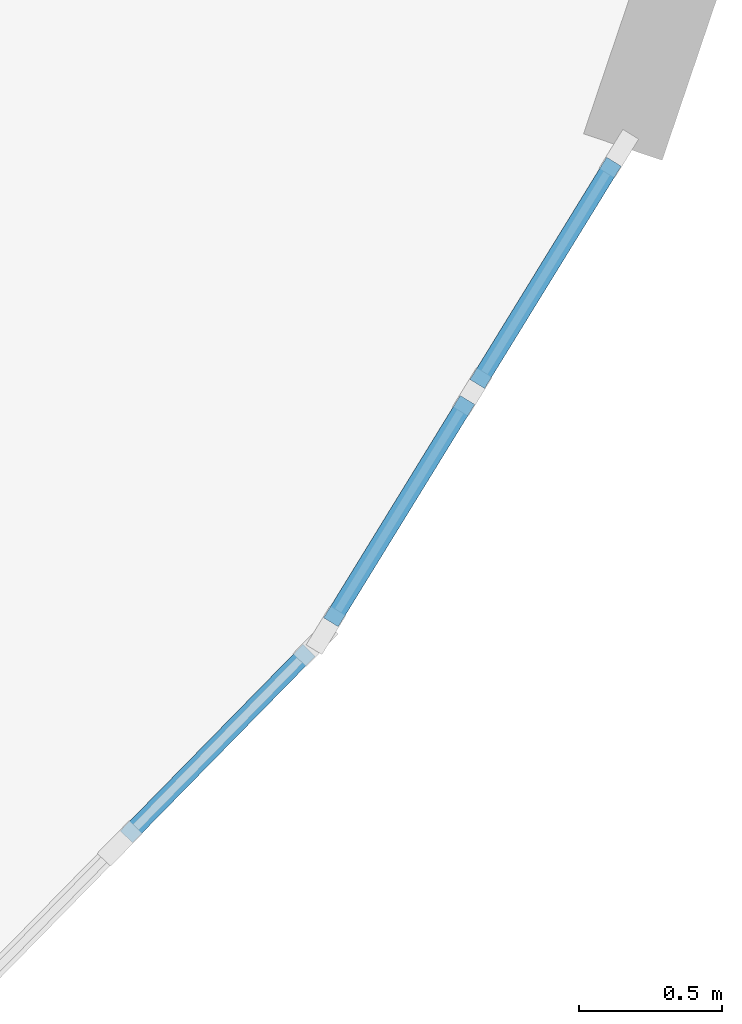
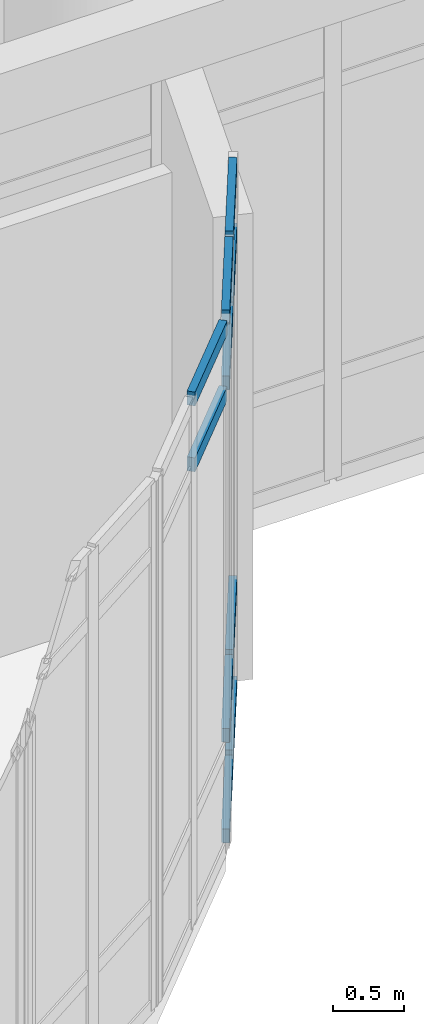
# One storey, part 36 of 68: 10 members, 2 elements without a shape of their own.
"""IFC4 building model written with IfcOpenShell, lengths in metres."""

import ifcopenshell
import ifcopenshell.guid

model = None  # the IFC model being written
_history = None  # IfcOwnerHistory: only IFC2X3 demands one
_inside = {}  # id of a spatial element -> (the spatial element, [elements in it])
_under = {}  # id of a project, library or spatial element -> (it, [spatial elements below it])
_declared = {}  # id of a project -> (the project, [libraries it declares])
_typed = {}  # id of a type object -> (the type object, [elements of that type])
_made_of = {}  # id of a material, layer set ... -> (it, [elements and type objects made of it])


def new_model(schema):
    """Start an empty IFC model of exactly this schema.

    Asked for "IFC4X3", IfcOpenShell would pick the latest addendum, in which some entities
    have other attributes; the version numbers below select the first issue.
    IFC2X3 requires an IfcOwnerHistory on every rooted entity: one is made here for all.
    """
    global model, _history
    if schema == "IFC4X3":
        model = ifcopenshell.file(schema_version=(4, 3, 0, 0))
    else:
        model = ifcopenshell.file(schema=schema)
    _inside.clear()
    _under.clear()
    _declared.clear()
    _typed.clear()
    _made_of.clear()
    _history = None
    if model.schema == "IFC2X3":
        org = make("IfcOrganization", Name="unknown")
        user = make(
            "IfcPersonAndOrganization",
            ThePerson=make("IfcPerson", FamilyName="unknown"),
            TheOrganization=org,
        )
        app = make(
            "IfcApplication",
            ApplicationDeveloper=org,
            Version="unknown",
            ApplicationFullName="unknown",
            ApplicationIdentifier="unknown",
        )
        _history = make(
            "IfcOwnerHistory",
            OwningUser=user,
            OwningApplication=app,
            ChangeAction="ADDED",
            CreationDate=0,
        )
    return model


def make(cls, **values):
    """One entity of the class cls with the attributes given. An attribute that is None is left unset."""
    return model.create_entity(
        cls, **{name: value for name, value in values.items() if value is not None}
    )


def rooted(cls, **values):
    """An entity with a GlobalId (a new one), such as an element, a storey or a relation."""
    return make(cls, GlobalId=ifcopenshell.guid.new(), OwnerHistory=_history, **values)


def si_unit(unit_type, name, prefix=None):
    """IfcSIUnit, for example si_unit("LENGTHUNIT", "METRE", prefix="MILLI")."""
    return make("IfcSIUnit", UnitType=unit_type, Prefix=prefix, Name=name)


def assignment(units):
    """IfcUnitAssignment: the units of a project."""
    return None if units is None else make("IfcUnitAssignment", Units=units)


def point(xyz):
    """IfcCartesianPoint."""
    return None if xyz is None else make("IfcCartesianPoint", Coordinates=xyz)


def direction(xyz):
    """IfcDirection."""
    return None if xyz is None else make("IfcDirection", DirectionRatios=xyz)


def frame(location, z_axis=None, x_axis=None):
    """IfcAxis2Placement3D, a coordinate frame: its origin and axes. An axis left out is left unset."""
    return make(
        "IfcAxis2Placement3D",
        Location=point(location),
        Axis=direction(z_axis),
        RefDirection=direction(x_axis),
    )


def frame_2d(location, x_axis=None):
    """IfcAxis2Placement2D, a coordinate frame in the plane: its origin and x axis."""
    return make(
        "IfcAxis2Placement2D", Location=point(location), RefDirection=direction(x_axis)
    )


def origin():
    """The frame at (0, 0, 0) with its axes left unset."""
    return frame((0.0, 0.0, 0.0))


def origin_2d():
    """The frame at (0, 0) in the plane with its x axis left unset."""
    return frame_2d((0.0, 0.0))


def place(relative_to, where):
    """IfcLocalPlacement: puts the frame where relative to a parent placement (None: the world)."""
    return make(
        "IfcLocalPlacement", PlacementRelTo=relative_to, RelativePlacement=where
    )


def context(
    kind, dimensions, precision=None, world=None, true_north=None, identifier=None
):
    """IfcGeometricRepresentationContext, for example the 3D "Model" context."""
    return make(
        "IfcGeometricRepresentationContext",
        ContextIdentifier=identifier,
        ContextType=kind,
        CoordinateSpaceDimension=dimensions,
        Precision=precision,
        WorldCoordinateSystem=world,
        TrueNorth=true_north,
    )


def subcontext(parent, identifier, kind, view, scale=None):
    """IfcGeometricRepresentationSubContext, for example "Body" below "Model"."""
    return make(
        "IfcGeometricRepresentationSubContext",
        ContextIdentifier=identifier,
        ContextType=kind,
        ParentContext=parent,
        TargetScale=scale,
        TargetView=view,
    )


def project(units=None, contexts=None):
    """IfcProject with its units and contexts."""
    return rooted(
        "IfcProject",
        Name="project",
        RepresentationContexts=contexts,
        UnitsInContext=assignment(units),
    )


def spatial(cls, under=None, at=None, **own):
    """A site, building, storey or space (cls), placed at a placement, below another one or the project."""
    s = rooted(cls, ObjectPlacement=at, **own)
    if under is not None:
        _under.setdefault(under.id(), (under, []))[1].append(s)
    return s


def profile(cls, at=None, kind="AREA", **sizes):
    """A parametric profile (cls). Its sizes go by their IFC names, for example OverallWidth=200.0."""
    return make(cls, ProfileType=kind, Position=at, **sizes)


def rectangle(**sizes):
    """IfcRectangleProfileDef."""
    return profile("IfcRectangleProfileDef", **sizes)


def extrude(swept, where, along, depth):
    """IfcExtrudedAreaSolid: the profile swept, set in the frame where, extruded along a direction by depth."""
    return make(
        "IfcExtrudedAreaSolid",
        SweptArea=swept,
        Position=where,
        ExtrudedDirection=direction(along),
        Depth=depth,
    )


def shape(context_of_items, identifier, shape_type, items):
    """IfcShapeRepresentation: the items that make up one representation, for example the "Body"."""
    return make(
        "IfcShapeRepresentation",
        ContextOfItems=context_of_items,
        RepresentationIdentifier=identifier,
        RepresentationType=shape_type,
        Items=items,
    )


def material(Name=None, Category=None):
    """IfcMaterial."""
    return make("IfcMaterial", Name=Name, Category=Category)


def layer(
    of_material, thickness, ventilated=None, Name=None, Category=None, Priority=None
):
    """IfcMaterialLayer: one layer of a wall or slab, of a material (None: an air gap)."""
    return make(
        "IfcMaterialLayer",
        Material=of_material,
        LayerThickness=thickness,
        IsVentilated=ventilated,
        Name=Name,
        Category=Category,
        Priority=Priority,
    )


def layer_set(layers, Name=None):
    """IfcMaterialLayerSet."""
    return make("IfcMaterialLayerSet", MaterialLayers=layers, LayerSetName=Name)


def material_profile(
    of_material, cross_section, Name=None, Category=None, Priority=None
):
    """IfcMaterialProfile: a cross section and its material."""
    return make(
        "IfcMaterialProfile",
        Name=Name,
        Material=of_material,
        Profile=cross_section,
        Priority=Priority,
        Category=Category,
    )


def profile_set(profiles, Name=None, composite=None):
    """IfcMaterialProfileSet."""
    return make(
        "IfcMaterialProfileSet",
        Name=Name,
        MaterialProfiles=profiles,
        CompositeProfile=composite,
    )


def made_of(thing, what):
    """Note that an element or type object is made of a material, layer set ...; save() writes the relation."""
    if what is not None:
        _made_of.setdefault(what.id(), (what, []))[1].append(thing)
    return thing


def type_object(cls, material=None, **own):
    """A type object (cls), such as IfcWallType, which elements share."""
    return made_of(rooted(cls, **own), material)


def element(
    cls,
    number,
    at=None,
    inside=None,
    cuts=None,
    type_object=None,
    material=None,
    context=None,
    identifier="Body",
    shape_type=None,
    held_by="IfcProductDefinitionShape",
    body=None,
    shapes=None,
    **own,
):
    """One element of the class cls, such as IfcWall. Its Tag is "e" and its number.

    at: its placement. inside: the storey or other place that contains it. cuts: it is an
    opening in that element (IfcRelVoidsElement). A single representation is given by context,
    identifier, shape_type and body (its items); several are given by shapes. held_by: the class
    of the entity that holds the representations. save() writes the other relations.
    """
    e = rooted(cls, Tag="e%d" % number, ObjectPlacement=at, **own)
    if body is not None:
        shapes = [shape(context, identifier, shape_type, body)]
    if shapes is not None:
        e.Representation = make(held_by, Representations=shapes)
    if inside is not None:
        _inside.setdefault(inside.id(), (inside, []))[1].append(e)
    if cuts is not None:
        rooted(
            "IfcRelVoidsElement", RelatingBuildingElement=cuts, RelatedOpeningElement=e
        )
    if type_object is not None:
        _typed.setdefault(type_object.id(), (type_object, []))[1].append(e)
    return made_of(e, material)


def aggregate(whole, parts):
    """IfcRelAggregates: a whole, such as a stair, and the parts it consists of."""
    return rooted("IfcRelAggregates", RelatingObject=whole, RelatedObjects=parts)


def save(model, path):
    """Write the relations noted so far, then the file.

    IfcRelAggregates (storeys below a building ...), IfcRelContainedInSpatialStructure (elements
    in a storey), IfcRelDefinesByType, IfcRelAssociatesMaterial and IfcRelDeclares: one each for
    every whole, place, type object, material and project.
    """
    for whole, parts in _under.values():
        aggregate(whole, parts)
    for where, things in _inside.values():
        rooted(
            "IfcRelContainedInSpatialStructure",
            RelatedElements=things,
            RelatingStructure=where,
        )
    for kind, things in _typed.values():
        rooted("IfcRelDefinesByType", RelatedObjects=things, RelatingType=kind)
    for what, things in _made_of.values():
        rooted("IfcRelAssociatesMaterial", RelatedObjects=things, RelatingMaterial=what)
    for by, libraries in _declared.values():
        rooted("IfcRelDeclares", RelatingContext=by, RelatedDefinitions=libraries)
    model.write(path)


model = new_model("IFC4")

# Units and contexts
model_context = context("Model", 3, precision=1e-05, world=origin(), true_north=direction((0.0, 1.0)))
body_context = subcontext(model_context, "Body", "Model", "MODEL_VIEW")
ifc_project = project(units=[si_unit("LENGTHUNIT", "METRE"), si_unit("AREAUNIT", "SQUARE_METRE"), si_unit("VOLUMEUNIT", "CUBIC_METRE"), si_unit("PLANEANGLEUNIT", "RADIAN"), si_unit("MASSUNIT", "GRAM", prefix="KILO")], contexts=[model_context])

# Site, building, storey
site_placement = place(None, origin())
site = spatial("IfcSite", under=ifc_project, at=site_placement, CompositionType="ELEMENT")
building_placement = place(site_placement, origin())
building = spatial("IfcBuilding", under=site, at=building_placement, Name="Miralva Faculty of Natural Sciences", CompositionType="ELEMENT")
storey_placement = place(building_placement, frame((0.0, 0.0, 5.39990234375)))
storey = spatial("IfcBuildingStorey", under=building, at=storey_placement, Name="L01", CompositionType="ELEMENT", Elevation=5.39990234375)

# Curtain wall, members
ifc_material_1 = material(Name="Laminated solar-control glass", Category="glass")
ifc_layer = layer(ifc_material_1, 0.179931640625, Name="CW-RND-L01")
ifc_layer_set = layer_set([ifc_layer], Name="Laminated solar-control glass")
curtain_wall_type = type_object("IfcCurtainWallType", Name="CW-RND-L01", PredefinedType="USERDEFINED", material=ifc_layer_set)
curtain_wall_1_placement = place(storey_placement, origin())
curtain_wall_1 = element("IfcCurtainWall", 1, at=curtain_wall_1_placement, inside=storey, type_object=curtain_wall_type, Name="Curtain wall CW-05 L01-55", ObjectType="UNITISED CURTAIN WALL", PredefinedType="USERDEFINED")
ifc_material_2 = material(Name="Anodised aluminium", Category="aluminium")
ifc_material_profile = material_profile(ifc_material_2, rectangle(XDim=0.06005859375, YDim=0.1201171875, at=origin_2d()), Name="TRANSOM 60x120")
ifc_profile_set = profile_set([ifc_material_profile], Name="Anodised aluminium")
member_type = type_object("IfcMemberType", Name="CW-T02", PredefinedType="USERDEFINED", material=ifc_profile_set)
member_1_placement = place(storey_placement, frame((129.140625, 14.490966796875, 0.030029296875), z_axis=(0.52351521274, 0.852016327326, 0.0), x_axis=(-0.852016327326, 0.52351521274, 0.0)))
member_1 = element("IfcMember", 2, at=member_1_placement, type_object=member_type, Name="CW-05 transom 1.1", ObjectType="TRANSOM", PredefinedType="USERDEFINED", context=body_context, shape_type="SweptSolid", body=[
    extrude(rectangle(XDim=0.06005859375, YDim=0.1201171875, at=origin_2d()), origin(), (0.0, 0.0, 1.0), 0.91259765625),
])
member_2_placement = place(storey_placement, frame((129.140625, 14.490966796875, 0.900146484375), z_axis=(0.52351521274, 0.852016327326, 0.0), x_axis=(-0.852016327326, 0.52351521274, 0.0)))
member_2 = element("IfcMember", 3, at=member_2_placement, type_object=member_type, Name="CW-05 transom 1.2", ObjectType="TRANSOM", PredefinedType="USERDEFINED", context=body_context, shape_type="SweptSolid", body=[
    extrude(rectangle(XDim=0.06005859375, YDim=0.1201171875, at=origin_2d()), origin(), (0.0, 0.0, 1.0), 0.91259765625),
])
member_3_placement = place(storey_placement, frame((129.140625, 14.490966796875, 3.9501953125), z_axis=(0.52351521274, 0.852016327326, 0.0), x_axis=(-0.852016327326, 0.52351521274, 0.0)))
member_3 = element("IfcMember", 4, at=member_3_placement, type_object=member_type, Name="CW-05 transom 1.3", ObjectType="TRANSOM", PredefinedType="USERDEFINED", context=body_context, shape_type="SweptSolid", body=[
    extrude(rectangle(XDim=0.06005859375, YDim=0.1201171875, at=origin_2d()), origin(), (0.0, 0.0, 1.0), 0.91259765625),
])
member_4_placement = place(storey_placement, frame((129.140625, 14.490966796875, 4.52001953125), z_axis=(0.52351521274, 0.852016327326, 0.0), x_axis=(-0.852016327326, 0.52351521274, 0.0)))
member_4 = element("IfcMember", 5, at=member_4_placement, type_object=member_type, Name="CW-05 transom 1.4", ObjectType="TRANSOM", PredefinedType="USERDEFINED", context=body_context, shape_type="SweptSolid", body=[
    extrude(rectangle(XDim=0.06005859375, YDim=0.1201171875, at=origin_2d()), origin(), (0.0, 0.0, 1.0), 0.91259765625),
])
member_5_placement = place(storey_placement, frame((129.65234375, 15.323974609375, 0.030029296875), z_axis=(0.523709365282, 0.851897001237, 0.0), x_axis=(-0.851897001237, 0.523709365282, 0.0)))
member_5 = element("IfcMember", 6, at=member_5_placement, type_object=member_type, Name="CW-05 transom 2.1", ObjectType="TRANSOM", PredefinedType="USERDEFINED", context=body_context, shape_type="SweptSolid", body=[
    extrude(rectangle(XDim=0.06005859375, YDim=0.1201171875, at=origin_2d()), origin(), (0.0, 0.0, 1.0), 0.912841796875),
])
member_6_placement = place(storey_placement, frame((129.65234375, 15.323974609375, 0.900146484375), z_axis=(0.523709365282, 0.851897001237, 0.0), x_axis=(-0.851897001237, 0.523709365282, 0.0)))
member_6 = element("IfcMember", 7, at=member_6_placement, type_object=member_type, Name="CW-05 transom 2.2", ObjectType="TRANSOM", PredefinedType="USERDEFINED", context=body_context, shape_type="SweptSolid", body=[
    extrude(rectangle(XDim=0.06005859375, YDim=0.1201171875, at=origin_2d()), origin(), (0.0, 0.0, 1.0), 0.912841796875),
])
member_7_placement = place(storey_placement, frame((129.65234375, 15.323974609375, 3.9501953125), z_axis=(0.523709365282, 0.851897001237, 0.0), x_axis=(-0.851897001237, 0.523709365282, 0.0)))
member_7 = element("IfcMember", 8, at=member_7_placement, type_object=member_type, Name="CW-05 transom 2.3", ObjectType="TRANSOM", PredefinedType="USERDEFINED", context=body_context, shape_type="SweptSolid", body=[
    extrude(rectangle(XDim=0.06005859375, YDim=0.1201171875, at=origin_2d()), origin(), (0.0, 0.0, 1.0), 0.912841796875),
])
member_8_placement = place(storey_placement, frame((129.65234375, 15.323974609375, 4.52001953125), z_axis=(0.523709365282, 0.851897001237, 0.0), x_axis=(-0.851897001237, 0.523709365282, 0.0)))
member_8 = element("IfcMember", 9, at=member_8_placement, type_object=member_type, Name="CW-05 transom 2.4", ObjectType="TRANSOM", PredefinedType="USERDEFINED", context=body_context, shape_type="SweptSolid", body=[
    extrude(rectangle(XDim=0.06005859375, YDim=0.1201171875, at=origin_2d()), origin(), (0.0, 0.0, 1.0), 0.912841796875),
])
aggregate(curtain_wall_1, [member_1, member_2, member_3, member_4, member_5, member_6, member_7, member_8])

curtain_wall_2_placement = place(storey_placement, origin())
curtain_wall_2 = element("IfcCurtainWall", 10, at=curtain_wall_2_placement, inside=storey, type_object=curtain_wall_type, Name="Curtain wall CW-05 L01-56", ObjectType="UNITISED CURTAIN WALL", PredefinedType="USERDEFINED")
member_9_placement = place(storey_placement, frame((128.425537109375, 13.740966796875, 3.9501953125), z_axis=(0.699983155997, 0.71415935289, 0.0), x_axis=(-0.71415935289, 0.699983155997, 0.0)))
member_9 = element("IfcMember", 11, at=member_9_placement, type_object=member_type, Name="CW-05 transom 2.3", ObjectType="TRANSOM", PredefinedType="USERDEFINED", context=body_context, shape_type="SweptSolid", body=[
    extrude(rectangle(XDim=0.06005859375, YDim=0.1201171875, at=origin_2d()), origin(), (0.0, 0.0, 1.0), 0.912841796875),
])
member_10_placement = place(storey_placement, frame((128.425537109375, 13.740966796875, 4.52001953125), z_axis=(0.699983155997, 0.71415935289, 0.0), x_axis=(-0.71415935289, 0.699983155997, 0.0)))
member_10 = element("IfcMember", 12, at=member_10_placement, type_object=member_type, Name="CW-05 transom 2.4", ObjectType="TRANSOM", PredefinedType="USERDEFINED", context=body_context, shape_type="SweptSolid", body=[
    extrude(rectangle(XDim=0.06005859375, YDim=0.1201171875, at=origin_2d()), origin(), (0.0, 0.0, 1.0), 0.912841796875),
])
aggregate(curtain_wall_2, [member_9, member_10])

save(model, "model.ifc")
